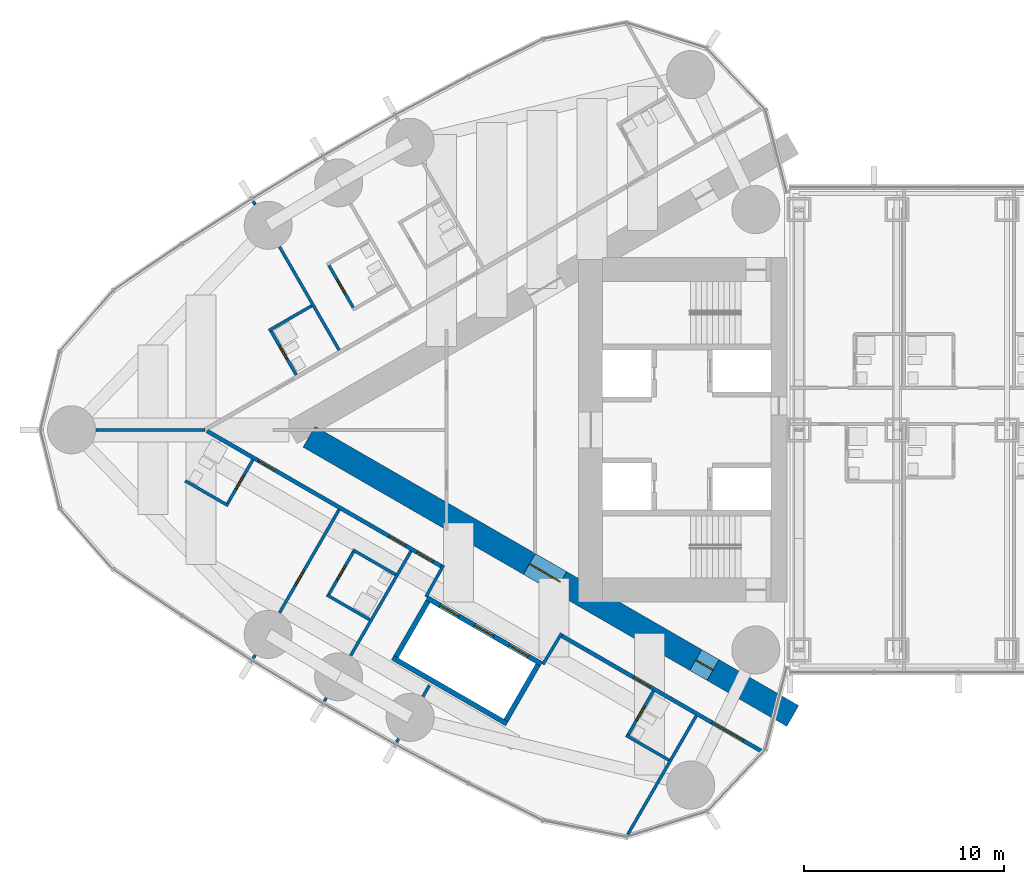
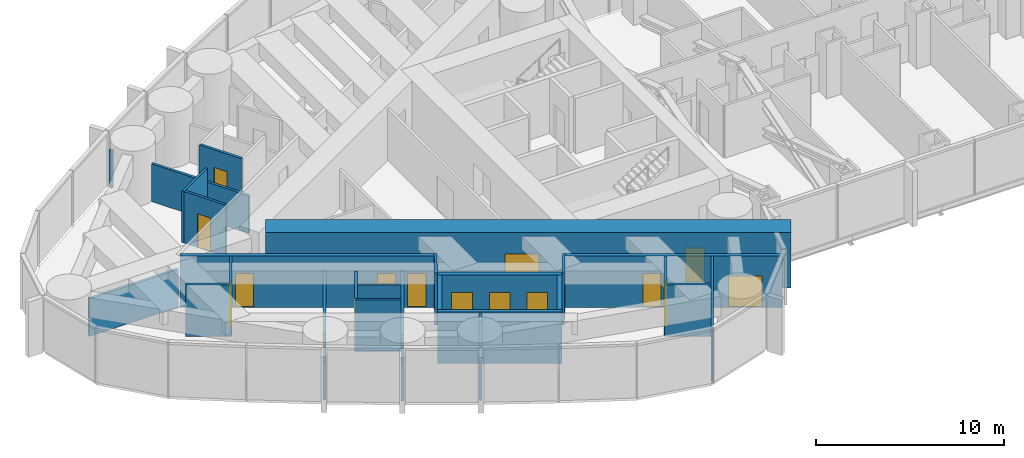
# One storey, part 14 of 23: 29 walls, 16 doors, 16 openings.
"""IFC4 building model written with IfcOpenShell, lengths in metres."""

from ifc_helpers import new_model, si_unit, direction, frame, frame_2d, origin, place, context, subcontext, project, spatial, rectangle, extrude, material, layer, layer_set, type_object, element, fill, save


model = new_model("IFC4")

# Units and contexts
model_context = context("Model", 3, precision=1e-05, world=origin(), true_north=direction((0.0, 1.0)))
body_context = subcontext(model_context, "Body", "Model", "MODEL_VIEW")
ifc_project = project(units=[si_unit("LENGTHUNIT", "METRE"), si_unit("AREAUNIT", "SQUARE_METRE"), si_unit("VOLUMEUNIT", "CUBIC_METRE"), si_unit("PLANEANGLEUNIT", "RADIAN"), si_unit("MASSUNIT", "GRAM", prefix="KILO")], contexts=[model_context])

# Site, building, storey
site_placement = place(None, origin())
site = spatial("IfcSite", under=ifc_project, at=site_placement, CompositionType="ELEMENT")
building_placement = place(site_placement, origin())
building = spatial("IfcBuilding", under=site, at=building_placement, Name="Lancet Gate Hotel", CompositionType="ELEMENT")
storey_placement = place(building_placement, frame((0.0, 0.0, 215.300048828125)))
storey = spatial("IfcBuildingStorey", under=building, at=storey_placement, Name="L57", CompositionType="ELEMENT", Elevation=215.300048828125)

# Wall, opening, door
ifc_material_1 = material(Name="Moisture resistant board partition")
ifc_layer_1 = layer(ifc_material_1, 0.14990234375)
ifc_layer_set_1 = layer_set([ifc_layer_1], Name="Bathroom wall 150")
wall_type_1 = type_object("IfcWallType", Name="Bathroom wall 150", PredefinedType="PARTITIONING", material=ifc_layer_set_1)
wall_1_placement = place(storey_placement, frame((-49.116943359375, 6.033935546875, 0.0), z_axis=(0.0, 0.0, 1.0), x_axis=(-0.500006934395, 0.866021400173, 0.0)))
wall_1 = element("IfcWall", 1, at=wall_1_placement, inside=storey, type_object=wall_type_1, Name="T1 bathroom wall 150 L57", PredefinedType="PARTITIONING", context=body_context, shape_type="SweptSolid", body=[
    extrude(rectangle(XDim=2.60009765625, YDim=0.14990234375, at=frame_2d((1.300048828125, 0.0))), origin(), (0.0, 0.0, 1.0), 3.349853515625),
])
opening_1_placement = place(wall_1_placement, frame((0.89990234375, 0.0, 0.0)))
opening_1 = element("IfcOpeningElement", 2, at=opening_1_placement, cuts=wall_1, Name="Opening 5704-B", PredefinedType="OPENING", context=body_context, shape_type="SweptSolid", body=[
    extrude(rectangle(XDim=0.800048828125, YDim=2.199951171875, at=frame_2d((0.39990234375, 1.10009765625))), frame((0.0, 0.0849609375, 0.0), z_axis=(0.0, -1.0, 0.0), x_axis=(1.0, 0.0, 0.0)), (0.0, 0.0, 1.0), 0.169921875),
])
ifc_material_2 = material(Name="Timber door set", Category="wood")
door_type_1 = type_object("IfcDoorType", Name="Bathroom door 800", OperationType="SINGLE_SWING_RIGHT", PredefinedType="DOOR", material=ifc_material_2)
door_1_placement = place(opening_1_placement, origin())
door_1 = element("IfcDoor", 3, at=door_1_placement, inside=storey, type_object=door_type_1, Name="5704-B", OperationType="SINGLE_SWING_RIGHT", OverallHeight=2.199951171875, OverallWidth=0.800048828125, PredefinedType="DOOR", context=body_context, shape_type="SweptSolid", body=[
    extrude(rectangle(XDim=0.800048828125, YDim=2.199951171875, at=frame_2d((0.39990234375, 1.10009765625))), frame((0.0, 0.02490234375, 0.0), z_axis=(0.0, -1.0, 0.0), x_axis=(1.0, 0.0, 0.0)), (0.0, 0.0, 1.0), 0.050048828125),
])
fill(opening_1, door_1)

# Wall
wall_2_placement = place(storey_placement, frame((-51.231201171875, 6.198974609375, 0.0), z_axis=(0.0, 0.0, 1.0), x_axis=(-0.866031185235, -0.4999899861, 0.0)))
element("IfcWall", 4, at=wall_2_placement, inside=storey, type_object=wall_type_1, Name="T1 bathroom wall 150 L57", PredefinedType="PARTITIONING", context=body_context, shape_type="SweptSolid", body=[
    extrude(rectangle(XDim=2.47509765625, YDim=0.14990234375, at=frame_2d((1.237548828125, 0.0))), origin(), (0.0, 0.0, 1.0), 3.349853515625),
])

# Wall, opening, door
wall_3_placement = place(storey_placement, frame((-52.009765625, 2.747314453125, 0.0), z_axis=(0.0, 0.0, 1.0), x_axis=(-0.500006934395, 0.866021400173, 0.0)))
wall_3 = element("IfcWall", 5, at=wall_3_placement, inside=storey, type_object=wall_type_1, Name="T1 bathroom wall 150 L57", PredefinedType="PARTITIONING", context=body_context, shape_type="SweptSolid", body=[
    extrude(rectangle(XDim=2.60009765625, YDim=0.14990234375, at=frame_2d((1.300048828125, 0.0))), origin(), (0.0, 0.0, 1.0), 3.349853515625),
])
opening_2_placement = place(wall_3_placement, frame((0.89990234375, 0.0, 0.0)))
opening_2 = element("IfcOpeningElement", 6, at=opening_2_placement, cuts=wall_3, Name="Opening 5705-B", PredefinedType="OPENING", context=body_context, shape_type="SweptSolid", body=[
    extrude(rectangle(XDim=0.800048828125, YDim=2.199951171875, at=frame_2d((0.39990234375, 1.10009765625))), frame((0.0, 0.0849609375, 0.0), z_axis=(0.0, -1.0, 0.0), x_axis=(1.0, 0.0, 0.0)), (0.0, 0.0, 1.0), 0.169921875),
])
door_2_placement = place(opening_2_placement, origin())
door_2 = element("IfcDoor", 7, at=door_2_placement, inside=storey, type_object=door_type_1, Name="5705-B", OperationType="SINGLE_SWING_RIGHT", OverallHeight=2.199951171875, OverallWidth=0.800048828125, PredefinedType="DOOR", context=body_context, shape_type="SweptSolid", body=[
    extrude(rectangle(XDim=0.800048828125, YDim=2.199951171875, at=frame_2d((0.39990234375, 1.10009765625))), frame((0.0, 0.02490234375, 0.0), z_axis=(0.0, -1.0, 0.0), x_axis=(1.0, 0.0, 0.0)), (0.0, 0.0, 1.0), 0.050048828125),
])
fill(opening_2, door_2)

# Wall
wall_4_placement = place(storey_placement, frame((-55.4111328125, -3.785888671875, 0.0), z_axis=(0.0, 0.0, 1.0), x_axis=(-0.866006523861, 0.500032699561, 0.0)))
element("IfcWall", 8, at=wall_4_placement, inside=storey, type_object=wall_type_1, Name="T1 bathroom wall 150 L57", PredefinedType="PARTITIONING", context=body_context, shape_type="SweptSolid", body=[
    extrude(rectangle(XDim=2.474853515625, YDim=0.14990234375, at=frame_2d((1.2373046875, 0.0))), origin(), (0.0, 0.0, 1.0), 3.349853515625),
])

# Wall, opening, door
wall_5_placement = place(storey_placement, frame((-54.176025390625, -1.49658203125, 0.0), z_axis=(0.0, 0.0, 1.0), x_axis=(-0.500006934395, -0.866021400173, 0.0)))
wall_5 = element("IfcWall", 9, at=wall_5_placement, inside=storey, type_object=wall_type_1, Name="T1 bathroom wall 150 L57", PredefinedType="PARTITIONING", context=body_context, shape_type="SweptSolid", body=[
    extrude(rectangle(XDim=2.60009765625, YDim=0.14990234375, at=frame_2d((1.300048828125, 0.0))), origin(), (0.0, 0.0, 1.0), 3.349853515625),
])
opening_3_placement = place(wall_5_placement, frame((0.89990234375, 0.0, 0.0)))
opening_3 = element("IfcOpeningElement", 10, at=opening_3_placement, cuts=wall_5, Name="Opening 5706-B", PredefinedType="OPENING", context=body_context, shape_type="SweptSolid", body=[
    extrude(rectangle(XDim=0.800048828125, YDim=2.199951171875, at=frame_2d((0.39990234375, 1.10009765625))), frame((0.0, 0.0849609375, 0.0), z_axis=(0.0, -1.0, 0.0), x_axis=(1.0, 0.0, 0.0)), (0.0, 0.0, 1.0), 0.169921875),
])
door_3_placement = place(opening_3_placement, origin())
door_3 = element("IfcDoor", 11, at=door_3_placement, inside=storey, type_object=door_type_1, Name="5706-B", OperationType="SINGLE_SWING_RIGHT", OverallHeight=2.199951171875, OverallWidth=0.800048828125, PredefinedType="DOOR", context=body_context, shape_type="SweptSolid", body=[
    extrude(rectangle(XDim=0.800048828125, YDim=2.199951171875, at=frame_2d((0.39990234375, 1.10009765625))), frame((0.0, 0.02490234375, 0.0), z_axis=(0.0, -1.0, 0.0), x_axis=(1.0, 0.0, 0.0)), (0.0, 0.0, 1.0), 0.050048828125),
])
fill(opening_3, door_3)

# Wall
wall_6_placement = place(storey_placement, frame((-48.338623046875, -9.485595703125, 0.0), z_axis=(0.0, 0.0, 1.0), x_axis=(-0.866006523861, 0.500032699561, 0.0)))
element("IfcWall", 12, at=wall_6_placement, inside=storey, type_object=wall_type_1, Name="T1 bathroom wall 150 L57", PredefinedType="PARTITIONING", context=body_context, shape_type="SweptSolid", body=[
    extrude(rectangle(XDim=2.474853515625, YDim=0.14990234375, at=frame_2d((1.2373046875, 0.0))), origin(), (0.0, 0.0, 1.0), 3.349853515625),
])

# Wall, opening, door
wall_7_placement = place(storey_placement, frame((-49.116943359375, -6.033935546875, 0.0), z_axis=(0.0, 0.0, 1.0), x_axis=(-0.500006934395, -0.866021400173, 0.0)))
wall_7 = element("IfcWall", 13, at=wall_7_placement, inside=storey, type_object=wall_type_1, Name="T1 bathroom wall 150 L57", PredefinedType="PARTITIONING", context=body_context, shape_type="SweptSolid", body=[
    extrude(rectangle(XDim=2.60009765625, YDim=0.14990234375, at=frame_2d((1.300048828125, 0.0))), origin(), (0.0, 0.0, 1.0), 3.349853515625),
])
opening_4_placement = place(wall_7_placement, frame((0.89990234375, 0.0, 0.0)))
opening_4 = element("IfcOpeningElement", 14, at=opening_4_placement, cuts=wall_7, Name="Opening 5707-B", PredefinedType="OPENING", context=body_context, shape_type="SweptSolid", body=[
    extrude(rectangle(XDim=0.800048828125, YDim=2.199951171875, at=frame_2d((0.39990234375, 1.10009765625))), frame((0.0, 0.0849609375, 0.0), z_axis=(0.0, -1.0, 0.0), x_axis=(1.0, 0.0, 0.0)), (0.0, 0.0, 1.0), 0.169921875),
])
door_4_placement = place(opening_4_placement, origin())
door_4 = element("IfcDoor", 15, at=door_4_placement, inside=storey, type_object=door_type_1, Name="5707-B", OperationType="SINGLE_SWING_RIGHT", OverallHeight=2.199951171875, OverallWidth=0.800048828125, PredefinedType="DOOR", context=body_context, shape_type="SweptSolid", body=[
    extrude(rectangle(XDim=0.800048828125, YDim=2.199951171875, at=frame_2d((0.39990234375, 1.10009765625))), frame((0.0, 0.02490234375, 0.0), z_axis=(0.0, -1.0, 0.0), x_axis=(1.0, 0.0, 0.0)), (0.0, 0.0, 1.0), 0.050048828125),
])
fill(opening_4, door_4)

# Walls
wall_8_placement = place(storey_placement, frame((-47.03857421875, -7.23388671875, 0.0), z_axis=(0.0, 0.0, 1.0), x_axis=(-0.866073894602, 0.499916002032, 0.0)))
element("IfcWall", 16, at=wall_8_placement, inside=storey, type_object=wall_type_1, Name="T1 bathroom wall 150 L57", PredefinedType="PARTITIONING", context=body_context, shape_type="SweptSolid", body=[
    extrude(rectangle(XDim=2.47509765625, YDim=0.14990234375, at=frame_2d((1.237548828125, 0.0))), origin(), (0.0, 0.0, 1.0), 2.5),
])
wall_9_placement = place(storey_placement, frame((-33.38671875, -16.501708984375, 0.0), z_axis=(0.0, 0.0, 1.0), x_axis=(-0.866006523861, 0.500032699561, 0.0)))
element("IfcWall", 17, at=wall_9_placement, inside=storey, type_object=wall_type_1, Name="T1 bathroom wall 150 L57", PredefinedType="PARTITIONING", context=body_context, shape_type="SweptSolid", body=[
    extrude(rectangle(XDim=2.474853515625, YDim=0.14990234375, at=frame_2d((1.2373046875, 0.0))), origin(), (0.0, 0.0, 1.0), 3.349853515625),
])

# Wall, opening, door
wall_10_placement = place(storey_placement, frame((-34.1650390625, -13.050048828125, 0.0), z_axis=(0.0, 0.0, 1.0), x_axis=(-0.500047596559, -0.865997922154, 0.0)))
wall_10 = element("IfcWall", 18, at=wall_10_placement, inside=storey, type_object=wall_type_1, Name="T1 bathroom wall 150 L57", PredefinedType="PARTITIONING", context=body_context, shape_type="SweptSolid", body=[
    extrude(rectangle(XDim=2.599853515625, YDim=0.14990234375, at=frame_2d((1.2998046875, 0.0))), origin(), (0.0, 0.0, 1.0), 3.349853515625),
])
opening_5_placement = place(wall_10_placement, frame((0.89990234375, 0.0, 0.0)))
opening_5 = element("IfcOpeningElement", 19, at=opening_5_placement, cuts=wall_10, Name="Opening 5709-B", PredefinedType="OPENING", context=body_context, shape_type="SweptSolid", body=[
    extrude(rectangle(XDim=0.800048828125, YDim=2.199951171875, at=frame_2d((0.39990234375, 1.10009765625))), frame((0.0, 0.0849609375, 0.0), z_axis=(0.0, -1.0, 0.0), x_axis=(1.0, 0.0, 0.0)), (0.0, 0.0, 1.0), 0.169921875),
])
door_5_placement = place(opening_5_placement, origin())
door_5 = element("IfcDoor", 20, at=door_5_placement, inside=storey, type_object=door_type_1, Name="5709-B", OperationType="SINGLE_SWING_RIGHT", OverallHeight=2.199951171875, OverallWidth=0.800048828125, PredefinedType="DOOR", context=body_context, shape_type="SweptSolid", body=[
    extrude(rectangle(XDim=0.800048828125, YDim=2.199951171875, at=frame_2d((0.39990234375, 1.10009765625))), frame((0.0, 0.02490234375, 0.0), z_axis=(0.0, -1.0, 0.0), x_axis=(1.0, 0.0, 0.0)), (0.0, 0.0, 1.0), 0.050048828125),
])
fill(opening_5, door_5)

# Wall, openings, doors
ifc_material_3 = material(Name="Concrete C70/85", Category="concrete")
ifc_layer_2 = layer(ifc_material_3, 1.199951171875)
ifc_layer_set_2 = layer_set([ifc_layer_2], Name="Buttress wall 1200")
wall_type_2 = type_object("IfcWallType", Name="Buttress wall 1200", PredefinedType="SHEAR", material=ifc_layer_set_2)
wall_11_placement = place(storey_placement, frame((-27.199951171875, -14.300048828125, 0.0), z_axis=(0.0, 0.0, 1.0), x_axis=(-0.866024021859, 0.500002393557, 0.0)))
wall_11 = element("IfcWall", 21, at=wall_11_placement, inside=storey, type_object=wall_type_2, Name="T1 buttress wall N L57", PredefinedType="SHEAR", context=body_context, shape_type="SweptSolid", body=[
    extrude(rectangle(XDim=27.906982421875, YDim=1.199951171875, at=frame_2d((13.95361328125, 0.0))), origin(), (0.0, 0.0, 1.0), 3.599853515625),
])
opening_6_placement = place(wall_11_placement, frame((4.60009765625, 0.0, 0.0)))
opening_6 = element("IfcOpeningElement", 22, at=opening_6_placement, cuts=wall_11, Name="Opening T1-L57-LN", PredefinedType="OPENING", context=body_context, shape_type="SweptSolid", body=[
    extrude(rectangle(XDim=1.0, YDim=2.199951171875, at=frame_2d((0.5, 1.10009765625))), frame((0.0, 0.60986328125, 0.0), z_axis=(0.0, -1.0, 0.0), x_axis=(1.0, 0.0, 0.0)), (0.0, 0.0, 1.0), 1.219970703125),
])
opening_7_placement = place(wall_11_placement, frame((13.39453125, 0.0, 0.0)))
opening_7 = element("IfcOpeningElement", 23, at=opening_7_placement, cuts=wall_11, Name="Opening T1-L57-LHN", PredefinedType="OPENING", context=body_context, shape_type="SweptSolid", body=[
    extrude(rectangle(XDim=1.800048828125, YDim=2.199951171875, at=frame_2d((0.89990234375, 1.10009765625))), frame((0.0, 0.60986328125, 0.0), z_axis=(0.0, -1.0, 0.0), x_axis=(1.0, 0.0, 0.0)), (0.0, 0.0, 1.0), 1.219970703125),
])
ifc_material_4 = material(Name="Timber door set", Category="wood")
door_type_2 = type_object("IfcDoorType", Name="Lobby double door 1800", OperationType="DOUBLE_DOOR_SINGLE_SWING", PredefinedType="DOOR", material=ifc_material_4)
door_6_placement = place(opening_7_placement, origin())
door_6 = element("IfcDoor", 24, at=door_6_placement, inside=storey, type_object=door_type_2, Name="T1-L57-LHN", OperationType="DOUBLE_DOOR_SINGLE_SWING", OverallHeight=2.199951171875, OverallWidth=1.800048828125, PredefinedType="DOOR", context=body_context, shape_type="SweptSolid", body=[
    extrude(rectangle(XDim=1.800048828125, YDim=2.199951171875, at=frame_2d((0.89990234375, 1.10009765625))), frame((0.0, 0.02490234375, 0.0), z_axis=(0.0, -1.0, 0.0), x_axis=(1.0, 0.0, 0.0)), (0.0, 0.0, 1.0), 0.050048828125),
])
fill(opening_7, door_6)
ifc_material_5 = material(Name="Timber door set", Category="wood")
door_type_3 = type_object("IfcDoorType", Name="Stair lobby door 1000", OperationType="SINGLE_SWING_LEFT", PredefinedType="DOOR", material=ifc_material_5)
door_7_placement = place(opening_6_placement, origin())
door_7 = element("IfcDoor", 25, at=door_7_placement, inside=storey, type_object=door_type_3, Name="T1-L57-LN", OperationType="SINGLE_SWING_LEFT", OverallHeight=2.199951171875, OverallWidth=1.0, PredefinedType="DOOR", context=body_context, shape_type="SweptSolid", body=[
    extrude(rectangle(XDim=1.0, YDim=2.199951171875, at=frame_2d((0.5, 1.10009765625))), frame((0.0, 0.02490234375, 0.0), z_axis=(0.0, -1.0, 0.0), x_axis=(1.0, 0.0, 0.0)), (0.0, 0.0, 1.0), 0.050048828125),
])
fill(opening_6, door_7)

ifc_material_6 = material(Name="Gypsum board partition")
ifc_layer_3 = layer(ifc_material_6, 0.199951171875)
ifc_layer_set_3 = layer_set([ifc_layer_3], Name="Corridor wall 200")
wall_type_3 = type_object("IfcWallType", Name="Corridor wall 200", PredefinedType="PARTITIONING", material=ifc_layer_set_3)
wall_12_placement = place(storey_placement, frame((-28.737060546875, -16.068359375, 0.0), z_axis=(0.0, 0.0, 1.0), x_axis=(-0.866029399323, 0.49999307946, 0.0)))
wall_12 = element("IfcWall", 26, at=wall_12_placement, inside=storey, type_object=wall_type_3, Name="T1 corridor wall 200 L57", PredefinedType="PARTITIONING", context=body_context, shape_type="SweptSolid", body=[
    extrude(rectangle(XDim=11.609619140625, YDim=0.199951171875, at=frame_2d((5.8046875, 0.0))), origin(), (0.0, 0.0, 1.0), 3.349853515625),
])
opening_8_placement = place(wall_12_placement, frame((1.080078125, 0.0, 0.0)))
opening_8 = element("IfcOpeningElement", 27, at=opening_8_placement, cuts=wall_12, Name="Opening 5710-E", PredefinedType="OPENING", context=body_context, shape_type="SweptSolid", body=[
    extrude(rectangle(XDim=1.800048828125, YDim=2.030029296875, at=frame_2d((0.89990234375, 1.01513671875))), frame((0.0, 0.10986328125, 0.0), z_axis=(0.0, -1.0, 0.0), x_axis=(1.0, 0.0, 0.0)), (0.0, 0.0, 1.0), 0.219970703125),
])
opening_9_placement = place(wall_12_placement, frame((6.460205078125, 0.0, 0.0)))
opening_9 = element("IfcOpeningElement", 28, at=opening_9_placement, cuts=wall_12, Name="Opening 5709-E", PredefinedType="OPENING", context=body_context, shape_type="SweptSolid", body=[
    extrude(rectangle(XDim=0.949951171875, YDim=2.199951171875, at=frame_2d((0.47509765625, 1.10009765625))), frame((0.0, 0.10986328125, 0.0), z_axis=(0.0, -1.0, 0.0), x_axis=(1.0, 0.0, 0.0)), (0.0, 0.0, 1.0), 0.219970703125),
])
ifc_material_7 = material(Name="Timber door set", Category="wood")
door_type_4 = type_object("IfcDoorType", Name="Double door 1800, 2030 high", OperationType="DOUBLE_DOOR_SINGLE_SWING", PredefinedType="DOOR", material=ifc_material_7)
door_8_placement = place(opening_8_placement, origin())
door_8 = element("IfcDoor", 29, at=door_8_placement, inside=storey, type_object=door_type_4, Name="5710-E", OperationType="DOUBLE_DOOR_SINGLE_SWING", OverallHeight=2.030029296875, OverallWidth=1.800048828125, PredefinedType="DOOR", context=body_context, shape_type="SweptSolid", body=[
    extrude(rectangle(XDim=1.800048828125, YDim=2.030029296875, at=frame_2d((0.89990234375, 1.01513671875))), frame((0.0, 0.02490234375, 0.0), z_axis=(0.0, -1.0, 0.0), x_axis=(1.0, 0.0, 0.0)), (0.0, 0.0, 1.0), 0.050048828125),
])
fill(opening_8, door_8)
ifc_material_8 = material(Name="Timber door set", Category="wood")
door_type_5 = type_object("IfcDoorType", Name="Guest room entry door 950", OperationType="SINGLE_SWING_LEFT", PredefinedType="DOOR", material=ifc_material_8)
door_9_placement = place(opening_9_placement, origin())
door_9 = element("IfcDoor", 30, at=door_9_placement, inside=storey, type_object=door_type_5, Name="5709-E", OperationType="SINGLE_SWING_LEFT", OverallHeight=2.199951171875, OverallWidth=0.949951171875, PredefinedType="DOOR", context=body_context, shape_type="SweptSolid", body=[
    extrude(rectangle(XDim=0.949951171875, YDim=2.199951171875, at=frame_2d((0.47509765625, 1.10009765625))), frame((0.0, 0.02490234375, 0.0), z_axis=(0.0, -1.0, 0.0), x_axis=(1.0, 0.0, 0.0)), (0.0, 0.0, 1.0), 0.050048828125),
])
fill(opening_9, door_9)

wall_13_placement = place(storey_placement, frame((-44.715087890625, -6.843505859375, 0.0), z_axis=(0.0, 0.0, 1.0), x_axis=(-0.866025261224, 0.500000246922, 0.0)))
wall_13 = element("IfcWall", 31, at=wall_13_placement, inside=storey, type_object=wall_type_3, Name="T1 corridor wall 200 L57", PredefinedType="PARTITIONING", context=body_context, shape_type="SweptSolid", body=[
    extrude(rectangle(XDim=13.56689453125, YDim=0.199951171875, at=frame_2d((6.783447265625, 0.0))), origin(), (0.0, 0.0, 1.0), 3.349853515625),
])
opening_10_placement = place(wall_13_placement, frame((9.6669921875, 0.0, 0.0)))
opening_10 = element("IfcOpeningElement", 32, at=opening_10_placement, cuts=wall_13, Name="Opening 5706-E", PredefinedType="OPENING", context=body_context, shape_type="SweptSolid", body=[
    extrude(rectangle(XDim=0.949951171875, YDim=2.199951171875, at=frame_2d((0.47509765625, 1.10009765625))), frame((0.0, 0.10986328125, 0.0), z_axis=(0.0, -1.0, 0.0), x_axis=(1.0, 0.0, 0.0)), (0.0, 0.0, 1.0), 0.219970703125),
])
opening_11_placement = place(wall_13_placement, frame((2.116943359375, 0.0, 0.0)))
opening_11 = element("IfcOpeningElement", 33, at=opening_11_placement, cuts=wall_13, Name="Opening 5707-E", PredefinedType="OPENING", context=body_context, shape_type="SweptSolid", body=[
    extrude(rectangle(XDim=0.949951171875, YDim=2.199951171875, at=frame_2d((0.47509765625, 1.10009765625))), frame((0.0, 0.10986328125, 0.0), z_axis=(0.0, -1.0, 0.0), x_axis=(1.0, 0.0, 0.0)), (0.0, 0.0, 1.0), 0.219970703125),
])
opening_12_placement = place(wall_13_placement, frame((0.5, 0.0, 0.0)))
opening_12 = element("IfcOpeningElement", 34, at=opening_12_placement, cuts=wall_13, Name="Opening T1-L57-LO1", PredefinedType="OPENING", context=body_context, shape_type="SweptSolid", body=[
    extrude(rectangle(XDim=0.967041015625, YDim=2.199951171875, at=frame_2d((0.4833984375, 1.10009765625))), frame((0.0, 0.10986328125, 0.0), z_axis=(0.0, -1.0, 0.0), x_axis=(1.0, 0.0, 0.0)), (0.0, 0.0, 1.0), 0.219970703125),
])
door_10_placement = place(opening_10_placement, origin())
door_10 = element("IfcDoor", 35, at=door_10_placement, inside=storey, type_object=door_type_5, Name="5706-E", OperationType="SINGLE_SWING_LEFT", OverallHeight=2.199951171875, OverallWidth=0.949951171875, PredefinedType="DOOR", context=body_context, shape_type="SweptSolid", body=[
    extrude(rectangle(XDim=0.949951171875, YDim=2.199951171875, at=frame_2d((0.47509765625, 1.10009765625))), frame((0.0, 0.02490234375, 0.0), z_axis=(0.0, -1.0, 0.0), x_axis=(1.0, 0.0, 0.0)), (0.0, 0.0, 1.0), 0.050048828125),
])
fill(opening_10, door_10)
door_11_placement = place(opening_11_placement, origin())
door_11 = element("IfcDoor", 36, at=door_11_placement, inside=storey, type_object=door_type_5, Name="5707-E", OperationType="SINGLE_SWING_LEFT", OverallHeight=2.199951171875, OverallWidth=0.949951171875, PredefinedType="DOOR", context=body_context, shape_type="SweptSolid", body=[
    extrude(rectangle(XDim=0.949951171875, YDim=2.199951171875, at=frame_2d((0.47509765625, 1.10009765625))), frame((0.0, 0.02490234375, 0.0), z_axis=(0.0, -1.0, 0.0), x_axis=(1.0, 0.0, 0.0)), (0.0, 0.0, 1.0), 0.050048828125),
])
fill(opening_11, door_11)
door_12_placement = place(opening_12_placement, origin())
door_12 = element("IfcDoor", 37, at=door_12_placement, inside=storey, type_object=door_type_5, Name="T1-L57-LO1", OperationType="SINGLE_SWING_LEFT", OverallHeight=2.199951171875, OverallWidth=0.967041015625, PredefinedType="DOOR", context=body_context, shape_type="SweptSolid", body=[
    extrude(rectangle(XDim=0.967041015625, YDim=2.199951171875, at=frame_2d((0.4833984375, 1.10009765625))), frame((0.0, 0.02490234375, 0.0), z_axis=(0.0, -1.0, 0.0), x_axis=(1.0, 0.0, 0.0)), (0.0, 0.0, 1.0), 0.050048828125),
])
fill(opening_12, door_12)

ifc_material_9 = material(Name="Gypsum board partition")
ifc_layer_4 = layer(ifc_material_9, 0.25)
ifc_layer_set_4 = layer_set([ifc_layer_4], Name="Lift shaft partition 250")
wall_type_4 = type_object("IfcWallType", Name="Lift shaft partition 250", PredefinedType="PARTITIONING", material=ifc_layer_set_4)
wall_14_placement = place(storey_placement, frame((-39.757568359375, -11.697265625, 0.0), z_axis=(0.0, 0.0, 1.0), x_axis=(-0.866024194504, 0.500002094529, 0.0)))
wall_14 = element("IfcWall", 38, at=wall_14_placement, inside=storey, type_object=wall_type_4, Name="T1 lift shaft wall HL L57", PredefinedType="PARTITIONING", context=body_context, shape_type="SweptSolid", body=[
    extrude(rectangle(XDim=6.60009765625, YDim=0.25, at=frame_2d((3.300048828125, 0.0))), origin(), (0.0, 0.0, 1.0), 3.349853515625),
])
opening_13_placement = place(wall_14_placement, frame((0.75, 0.0, 0.0)))
opening_13 = element("IfcOpeningElement", 39, at=opening_13_placement, cuts=wall_14, Name="Opening T1-HL1-L57", PredefinedType="OPENING", context=body_context, shape_type="SweptSolid", body=[
    extrude(rectangle(XDim=1.10009765625, YDim=2.199951171875, at=frame_2d((0.550048828125, 1.10009765625))), frame((0.0, 0.135009765625, 0.0), z_axis=(0.0, -1.0, 0.0), x_axis=(1.0, 0.0, 0.0)), (0.0, 0.0, 1.0), 0.27001953125),
])
opening_14_placement = place(wall_14_placement, frame((2.75, 0.0, 0.0)))
opening_14 = element("IfcOpeningElement", 40, at=opening_14_placement, cuts=wall_14, Name="Opening T1-HL2-L57", PredefinedType="OPENING", context=body_context, shape_type="SweptSolid", body=[
    extrude(rectangle(XDim=1.10009765625, YDim=2.199951171875, at=frame_2d((0.550048828125, 1.10009765625))), frame((0.0, 0.135009765625, 0.0), z_axis=(0.0, -1.0, 0.0), x_axis=(1.0, 0.0, 0.0)), (0.0, 0.0, 1.0), 0.27001953125),
])
opening_15_placement = place(wall_14_placement, frame((4.75, 0.0, 0.0)))
opening_15 = element("IfcOpeningElement", 41, at=opening_15_placement, cuts=wall_14, Name="Opening T1-HL3-L57", PredefinedType="OPENING", context=body_context, shape_type="SweptSolid", body=[
    extrude(rectangle(XDim=1.10009765625, YDim=2.199951171875, at=frame_2d((0.550048828125, 1.10009765625))), frame((0.0, 0.135009765625, 0.0), z_axis=(0.0, -1.0, 0.0), x_axis=(1.0, 0.0, 0.0)), (0.0, 0.0, 1.0), 0.27001953125),
])
ifc_material_10 = material(Name="Steel door set", Category="steel")
door_type_6 = type_object("IfcDoorType", Name="Lift landing door 1100", OperationType="DOUBLE_DOOR_SLIDING", PredefinedType="USERDEFINED", material=ifc_material_10)
door_13_placement = place(opening_13_placement, origin())
door_13 = element("IfcDoor", 42, at=door_13_placement, inside=storey, type_object=door_type_6, Name="T1-HL1-L57", ObjectType="LIFT LANDING DOOR", OperationType="DOUBLE_DOOR_SLIDING", OverallHeight=2.199951171875, OverallWidth=1.10009765625, PredefinedType="USERDEFINED", context=body_context, shape_type="SweptSolid", body=[
    extrude(rectangle(XDim=1.10009765625, YDim=2.199951171875, at=frame_2d((0.550048828125, 1.10009765625))), frame((0.0, 0.02490234375, 0.0), z_axis=(0.0, -1.0, 0.0), x_axis=(1.0, 0.0, 0.0)), (0.0, 0.0, 1.0), 0.050048828125),
])
fill(opening_13, door_13)
door_14_placement = place(opening_14_placement, origin())
door_14 = element("IfcDoor", 43, at=door_14_placement, inside=storey, type_object=door_type_6, Name="T1-HL2-L57", ObjectType="LIFT LANDING DOOR", OperationType="DOUBLE_DOOR_SLIDING", OverallHeight=2.199951171875, OverallWidth=1.10009765625, PredefinedType="USERDEFINED", context=body_context, shape_type="SweptSolid", body=[
    extrude(rectangle(XDim=1.10009765625, YDim=2.199951171875, at=frame_2d((0.550048828125, 1.10009765625))), frame((0.0, 0.02490234375, 0.0), z_axis=(0.0, -1.0, 0.0), x_axis=(1.0, 0.0, 0.0)), (0.0, 0.0, 1.0), 0.050048828125),
])
fill(opening_14, door_14)
door_15_placement = place(opening_15_placement, origin())
door_15 = element("IfcDoor", 44, at=door_15_placement, inside=storey, type_object=door_type_6, Name="T1-HL3-L57", ObjectType="LIFT LANDING DOOR", OperationType="DOUBLE_DOOR_SLIDING", OverallHeight=2.199951171875, OverallWidth=1.10009765625, PredefinedType="USERDEFINED", context=body_context, shape_type="SweptSolid", body=[
    extrude(rectangle(XDim=1.10009765625, YDim=2.199951171875, at=frame_2d((0.550048828125, 1.10009765625))), frame((0.0, 0.02490234375, 0.0), z_axis=(0.0, -1.0, 0.0), x_axis=(1.0, 0.0, 0.0)), (0.0, 0.0, 1.0), 0.050048828125),
])
fill(opening_15, door_15)

# Walls
wall_15_placement = place(storey_placement, frame((-41.482421875, -14.685791015625, 0.0), z_axis=(0.0, 0.0, 1.0), x_axis=(-0.86603344179, 0.499986077507, 0.0)))
element("IfcWall", 45, at=wall_15_placement, inside=storey, type_object=wall_type_4, Name="T1 lift shaft wall HL L57", PredefinedType="PARTITIONING", context=body_context, shape_type="SweptSolid", body=[
    extrude(rectangle(XDim=6.600341796875, YDim=0.25, at=frame_2d((3.30029296875, 0.0))), origin(), (0.0, 0.0, 1.0), 3.349853515625),
])
for number, where, z_axis, x_axis, name in (
    (46, (-39.92822265625, -11.742919921875, 0.0), (0.0, 0.0, 1.0), (-0.499929347863, -0.866066190972, 0.0), "T1 lift shaft wall HL L57"),
    (47, (-45.427734375, -8.568115234375, 0.0), (0.0, 0.0, 1.0), (-0.499929347863, -0.866066190972, 0.0), "T1 lift shaft wall HL L57"),
):
    element("IfcWall", number, at=place(storey_placement, frame(where, z_axis=z_axis, x_axis=x_axis)), inside=storey, type_object=wall_type_4, Name=name, PredefinedType="PARTITIONING", context=body_context, shape_type="SweptSolid", body=[
        extrude(rectangle(XDim=3.20068359375, YDim=0.25, at=frame_2d((1.600341796875, 0.0))), origin(), (0.0, 0.0, 1.0), 3.349853515625),
    ])
ifc_material_11 = material(Name="Gypsum board partition")
ifc_layer_5 = layer(ifc_material_11, 0.14990234375)
ifc_layer_set_5 = layer_set([ifc_layer_5], Name="Party wall 150")
wall_type_5 = type_object("IfcWallType", Name="Party wall 150", PredefinedType="PARTITIONING", material=ifc_layer_set_5)
wall_16_placement = place(storey_placement, frame((-49.866455078125, 3.98486328125, 0.0), z_axis=(0.0, 0.0, 1.0), x_axis=(-0.500000694566, 0.866025002776, 0.0)))
element("IfcWall", 48, at=wall_16_placement, inside=storey, type_object=wall_type_5, Name="T1 party wall 150 L57", PredefinedType="PARTITIONING", context=body_context, shape_type="SweptSolid", body=[
    extrude(rectangle(XDim=5.94970703125, YDim=0.14990234375, at=frame_2d((2.974853515625, 0.0))), origin(), (0.0, 0.0, 1.0), 2.449951171875),
])
wall_17_placement = place(storey_placement, frame((-54.061279296875, 11.25048828125, 0.0), z_axis=(0.0, 0.0, 1.0), x_axis=(-0.500391173478, 0.865799441849, 0.0)))
element("IfcWall", 49, at=wall_17_placement, inside=storey, type_object=wall_type_5, Name="T1 party wall 150 L57", PredefinedType="PARTITIONING", context=body_context, shape_type="SweptSolid", body=[
    extrude(rectangle(XDim=0.178955078125, YDim=0.14990234375, at=frame_2d((0.08935546875, 0.0))), origin(), (0.0, 0.0, 1.0), 2.449951171875),
])
wall_18_placement = place(storey_placement, frame((-32.021728515625, -14.287353515625, 0.0), z_axis=(0.0, 0.0, 1.0), x_axis=(-0.50000019414, -0.866025291697, 0.0)))
element("IfcWall", 50, at=wall_18_placement, inside=storey, type_object=wall_type_5, Name="T1 party wall 150 L57", PredefinedType="PARTITIONING", context=body_context, shape_type="SweptSolid", body=[
    extrude(rectangle(XDim=6.84814453125, YDim=0.14990234375, at=frame_2d((3.424072265625, 0.0))), origin(), (0.0, 0.0, 1.0), 3.349853515625),
])
wall_19_placement = place(storey_placement, frame((-46.89794921875, -15.438720703125, 0.0), z_axis=(0.0, 0.0, 1.0), x_axis=(-0.500232303069, -0.865891241997, 0.0)))
element("IfcWall", 51, at=wall_19_placement, inside=storey, type_object=wall_type_5, Name="T1 party wall 150 L57", PredefinedType="PARTITIONING", context=body_context, shape_type="SweptSolid", body=[
    extrude(rectangle(XDim=0.1796875, YDim=0.14990234375, at=frame_2d((0.08984375, 0.0))), origin(), (0.0, 0.0, 1.0), 2.449951171875),
])
wall_20_placement = place(storey_placement, frame((-46.273681640625, -6.05908203125, 0.0), z_axis=(0.0, 0.0, 1.0), x_axis=(-0.500020471368, -0.866013584312, 0.0)))
element("IfcWall", 52, at=wall_20_placement, inside=storey, type_object=wall_type_5, Name="T1 party wall 150 L57", PredefinedType="PARTITIONING", context=body_context, shape_type="SweptSolid", body=[
    extrude(rectangle(XDim=6.027587890625, YDim=0.14990234375, at=frame_2d((3.013671875, 0.0))), origin(), (0.0, 0.0, 1.0), 2.449951171875),
])
wall_21_placement = place(storey_placement, frame((-50.507568359375, -13.392333984375, 0.0), z_axis=(0.0, 0.0, 1.0), x_axis=(-0.499644091975, -0.866230789891, 0.0)))
element("IfcWall", 53, at=wall_21_placement, inside=storey, type_object=wall_type_5, Name="T1 party wall 150 L57", PredefinedType="PARTITIONING", context=body_context, shape_type="SweptSolid", body=[
    extrude(rectangle(XDim=0.179931640625, YDim=0.14990234375, at=frame_2d((0.08984375, 0.0))), origin(), (0.0, 0.0, 1.0), 2.449951171875),
])

# Wall, opening, door
wall_22_placement = place(storey_placement, frame((-49.866455078125, -3.98486328125, 0.0), z_axis=(0.0, 0.0, 1.0), x_axis=(-0.500000694566, -0.866025002776, 0.0)))
wall_22 = element("IfcWall", 54, at=wall_22_placement, inside=storey, type_object=wall_type_5, Name="T1 party wall 150 L57", PredefinedType="PARTITIONING", context=body_context, shape_type="SweptSolid", body=[
    extrude(rectangle(XDim=5.94970703125, YDim=0.14990234375, at=frame_2d((2.974853515625, 0.0))), origin(), (0.0, 0.0, 1.0), 2.449951171875),
])
opening_16_placement = place(wall_22_placement, frame((3.5, 0.0, 0.0)))
opening_16 = element("IfcOpeningElement", 55, at=opening_16_placement, cuts=wall_22, Name="Opening 5706C", PredefinedType="OPENING", context=body_context, shape_type="SweptSolid", body=[
    extrude(rectangle(XDim=0.89990234375, YDim=2.199951171875, at=frame_2d((0.449951171875, 1.10009765625))), frame((0.0, 0.0849609375, 0.0), z_axis=(0.0, -1.0, 0.0), x_axis=(1.0, 0.0, 0.0)), (0.0, 0.0, 1.0), 0.169921875),
])
ifc_material_12 = material(Name="Timber door set", Category="wood")
door_type_7 = type_object("IfcDoorType", Name="Connecting door 900", OperationType="SINGLE_SWING_LEFT", PredefinedType="DOOR", material=ifc_material_12)
door_16_placement = place(opening_16_placement, origin())
door_16 = element("IfcDoor", 56, at=door_16_placement, inside=storey, type_object=door_type_7, Name="5706C", OperationType="SINGLE_SWING_LEFT", OverallHeight=2.199951171875, OverallWidth=0.89990234375, PredefinedType="DOOR", context=body_context, shape_type="SweptSolid", body=[
    extrude(rectangle(XDim=0.89990234375, YDim=2.199951171875, at=frame_2d((0.449951171875, 1.10009765625))), frame((0.0, 0.02490234375, 0.0), z_axis=(0.0, -1.0, 0.0), x_axis=(1.0, 0.0, 0.0)), (0.0, 0.0, 1.0), 0.050048828125),
])
fill(opening_16, door_16)

# Walls
wall_23_placement = place(storey_placement, frame((-54.061279296875, -11.25048828125, 0.0), z_axis=(0.0, 0.0, 1.0), x_axis=(-0.500391173478, -0.865799441849, 0.0)))
element("IfcWall", 57, at=wall_23_placement, inside=storey, type_object=wall_type_5, Name="T1 party wall 150 L57", PredefinedType="PARTITIONING", context=body_context, shape_type="SweptSolid", body=[
    extrude(rectangle(XDim=0.178955078125, YDim=0.14990234375, at=frame_2d((0.08935546875, 0.0))), origin(), (0.0, 0.0, 1.0), 2.449951171875),
])
wall_24_placement = place(storey_placement, frame((-56.568359375, 0.0, 0.0), z_axis=(0.0, 0.0, 1.0), x_axis=(-1.0, 0.0, 0.0)))
element("IfcWall", 58, at=wall_24_placement, inside=storey, type_object=wall_type_5, Name="T1 party wall 150 L57", PredefinedType="PARTITIONING", context=body_context, shape_type="SweptSolid", body=[
    extrude(rectangle(XDim=5.446044921875, YDim=0.14990234375, at=frame_2d((2.72314453125, 0.0))), origin(), (0.0, 0.0, 1.0), 2.449951171875),
])
wall_25_placement = place(storey_placement, frame((-45.355712890625, -12.767333984375, 0.0), z_axis=(0.0, 0.0, 1.0), x_axis=(-0.499886366516, -0.866091000168, 0.0)))
element("IfcWall", 59, at=wall_25_placement, inside=storey, type_object=wall_type_5, Name="T1 party wall 150 L57", PredefinedType="PARTITIONING", context=body_context, shape_type="SweptSolid", body=[
    extrude(rectangle(XDim=0.644775390625, YDim=0.14990234375, at=frame_2d((0.322265625, 0.0))), origin(), (0.0, 0.0, 1.0), 3.349853515625),
])
ifc_material_13 = material(Name="Gypsum board partition")
ifc_layer_6 = layer(ifc_material_13, 0.14990234375)
ifc_layer_set_6 = layer_set([ifc_layer_6], Name="Service room wall 150")
wall_type_6 = type_object("IfcWallType", Name="Service room wall 150", PredefinedType="PARTITIONING", material=ifc_layer_set_6)
for number, where, z_axis, x_axis, name in (
    (60, (-39.6826171875, -11.717529296875, 0.0), (0.0, 0.0, 1.0), (0.514336634837, 0.857588377991, 0.0), "T1 service room wall 150 L57"),
    (61, (-44.652099609375, -6.764404296875, 0.0), (0.0, 0.0, 1.0), (-0.485424724123, -0.874278466629, 0.0), "T1 service room wall 150 L57"),
):
    element("IfcWall", number, at=place(storey_placement, frame(where, z_axis=z_axis, x_axis=x_axis)), inside=storey, type_object=wall_type_6, Name=name, PredefinedType="PARTITIONING", context=body_context, shape_type="SweptSolid", body=[
        extrude(rectangle(XDim=1.80517578125, YDim=0.14990234375, at=frame_2d((0.902587890625, 0.0))), origin(), (0.0, 0.0, 1.0), 3.349853515625),
    ])

save(model, "model.ifc")
